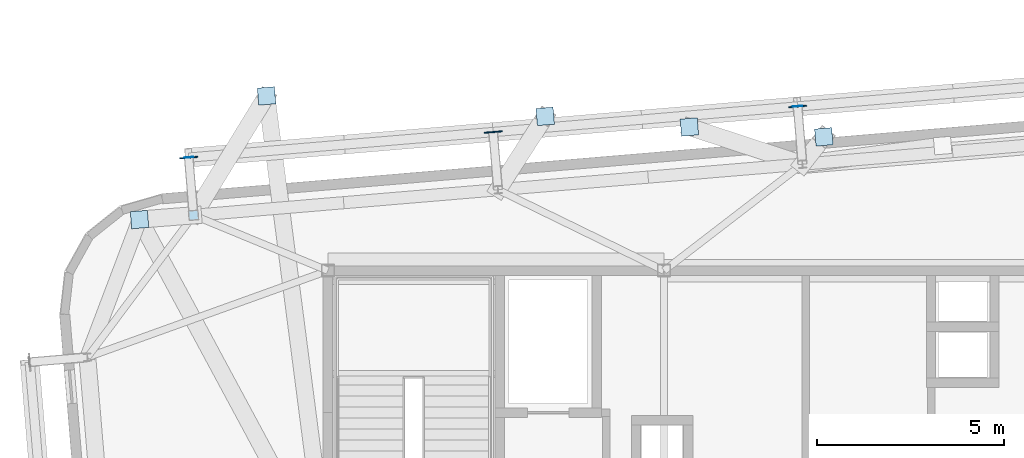
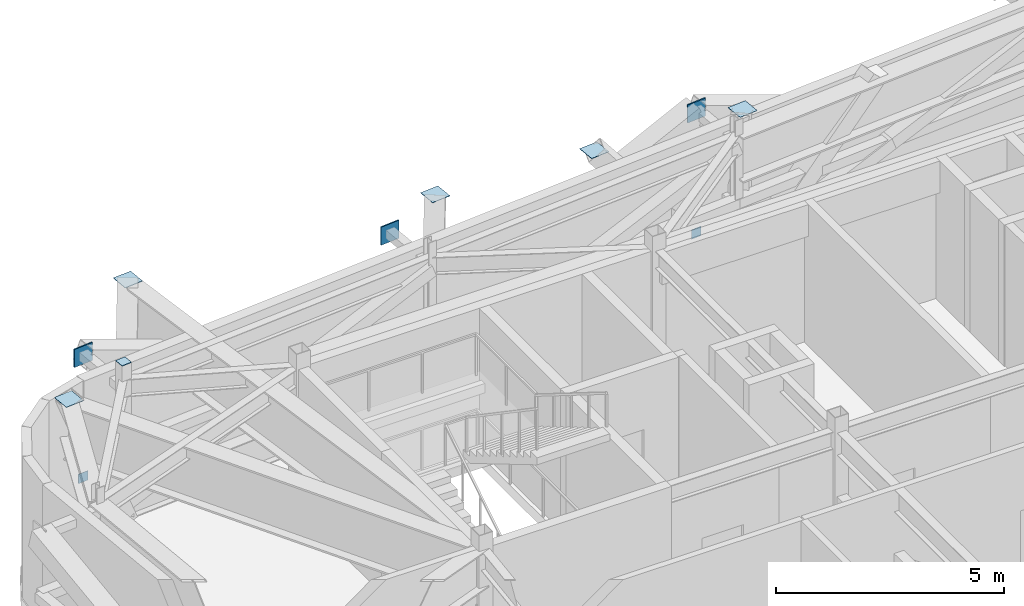
# One storey, part 20 of 26: 11 plates.
"""IFC4 building model written with IfcOpenShell, lengths in metres."""

from ifc_helpers import new_model, si_unit, direction, frame, origin, origin_2d, place, context, subcontext, project, spatial, rectangle, extrude, source, transform, mapped, material, layer, layer_set, type_object, element, save


model = new_model("IFC4")

# Units and contexts
model_context = context("Model", 3, precision=1e-05, world=origin(), true_north=direction((0.0, 1.0)))
body_context = subcontext(model_context, "Body", "Model", "MODEL_VIEW")
ifc_project = project(units=[si_unit("LENGTHUNIT", "METRE"), si_unit("AREAUNIT", "SQUARE_METRE"), si_unit("VOLUMEUNIT", "CUBIC_METRE"), si_unit("PLANEANGLEUNIT", "RADIAN"), si_unit("MASSUNIT", "GRAM", prefix="KILO")], contexts=[model_context])

# Site, building, storey
site_placement = place(None, origin())
site = spatial("IfcSite", under=ifc_project, at=site_placement, CompositionType="ELEMENT")
building_placement = place(site_placement, origin())
building = spatial("IfcBuilding", under=site, at=building_placement, Name="Taldren Reach Tower", CompositionType="ELEMENT")
storey_placement = place(building_placement, frame((0.0, 0.0, 207.199951171875)))
storey = spatial("IfcBuildingStorey", under=building, at=storey_placement, Name="L63", CompositionType="ELEMENT", Elevation=207.199951171875)

# Plates
ifc_material_1 = material(Name="Steel Gr 350 (C350L0)", Category="steel")
ifc_layer_1 = layer(ifc_material_1, 0.011962890625)
ifc_layer_set_1 = layer_set([ifc_layer_1], Name="Steel Gr 350 (C350L0)")
plate_type_1 = type_object("IfcPlateType", Name="PL-CAP-250", PredefinedType="SHEET", material=ifc_layer_set_1)
shared_shape_1 = source(origin(), body_context, "Body", "SweptSolid", [
    extrude(rectangle(XDim=0.25, YDim=0.011962890625, at=origin_2d()), origin(), (0.0, 0.0, 1.0), 0.25),
])
for number, where, z_axis, x_axis, name in (
    (1, (15.273681640625, 35.0341796875, 0.094970703125), (0.0, 0.0, 1.0), (0.99649285925, 0.083677843332, 0.0), "Tie strut end cap plate B4-N1 L63"),
    (2, (31.576171875, 36.403076171875, 0.094970703125), (0.0, 0.0, 1.0), (0.99649285925, 0.083677843332, 0.0), "Tie strut end cap plate B4-N3 L63"),
):
    element("IfcPlate", number, at=place(storey_placement, frame(where, z_axis=z_axis, x_axis=x_axis)), inside=storey, type_object=plate_type_1, Name=name, PredefinedType="SHEET", context=body_context, shape_type="MappedRepresentation", body=[
        mapped(shared_shape_1, transform((0.0, 0.0, 0.0), scale=1.0)),
    ])
ifc_material_2 = material(Name="Steel Gr 450 (C450L0)", Category="steel")
ifc_layer_2 = layer(ifc_material_2, 0.011962890625)
ifc_layer_set_2 = layer_set([ifc_layer_2], Name="Steel Gr 450 (C450L0)")
plate_type_2 = type_object("IfcPlateType", Name="PL-CAP-460", PredefinedType="SHEET", material=ifc_layer_set_2)
shared_shape_2 = source(origin(), body_context, "Body", "SweptSolid", [
    extrude(rectangle(XDim=0.4599609375, YDim=0.4599609375, at=origin_2d()), origin(), (0.0, 0.0, 1.0), 0.011962890625),
])
for number, where, z_axis, x_axis, name in (
    (3, (17.35986328125, 36.678955078125, 3.76806640625), (0.0, 0.0, 1.0), (0.99649285925, 0.083677843332, 0.0), "Transfer strut end cap plate TS-B5-N1 L63"),
    (4, (24.819580078125, 36.131103515625, 3.76806640625), (0.0, 0.0, 1.0), (0.99649285925, 0.083677843332, 0.0), "Transfer strut end cap plate TS-B5-N2 L63"),
    (5, (32.279541015625, 35.583251953125, 3.76806640625), (0.0, 0.0, 1.0), (0.99649285925, 0.083677843332, 0.0), "Transfer strut end cap plate TS-B5-N3 L63"),
    (6, (13.958251953125, 33.369140625, 3.76806640625), (0.0, 0.0, 1.0), (0.99649285925, 0.083677843332, 0.0), "Transfer strut end cap plate TS-B5-W3 L63"),
    (7, (28.67919921875, 35.84765625, 3.76806640625), (0.0, 0.0, 1.0), (0.99649285925, 0.083677843332, 0.0), "Transfer strut end cap plate TS-B5-PJN1 L63"),
):
    element("IfcPlate", number, at=place(storey_placement, frame(where, z_axis=z_axis, x_axis=x_axis)), inside=storey, type_object=plate_type_2, Name=name, PredefinedType="SHEET", context=body_context, shape_type="MappedRepresentation", body=[
        mapped(shared_shape_2, transform((0.0, 0.0, 0.0), scale=1.0)),
    ])
ifc_layer_3 = layer(ifc_material_2, 0.031982421875)
ifc_layer_set_3 = layer_set([ifc_layer_3], Name="Steel Gr 450 (C450L0)")
plate_type_3 = type_object("IfcPlateType", Name="PL-GUSSET-32", PredefinedType="SHEET", material=ifc_layer_set_3)
shared_shape_3 = source(origin(), body_context, "Body", "SweptSolid", [
    extrude(rectangle(XDim=0.47998046875, YDim=0.031982421875, at=origin_2d()), origin(), (0.0, 0.0, 1.0), 0.47998046875),
])
for number, where, z_axis, x_axis, name in (
    (8, (15.274169921875, 35.028076171875, 3.260009765625), (0.0, 0.0, 1.0), (0.99649285925, 0.083677843332, 0.0), "Exoskeleton star-node gusset plate B4-N1 L63"),
    (9, (23.42529296875, 35.712646484375, 3.260009765625), (0.0, 0.0, 1.0), (0.99649285925, 0.083677843332, 0.0), "Exoskeleton star-node gusset plate B4-N2 L63"),
    (10, (31.57666015625, 36.39697265625, 3.260009765625), (0.0, 0.0, 1.0), (0.99649285925, 0.083677843332, 0.0), "Exoskeleton star-node gusset plate B4-N3 L63"),
):
    element("IfcPlate", number, at=place(storey_placement, frame(where, z_axis=z_axis, x_axis=x_axis)), inside=storey, type_object=plate_type_3, Name=name, PredefinedType="SHEET", context=body_context, shape_type="MappedRepresentation", body=[
        mapped(shared_shape_3, transform((0.0, 0.0, 0.0), scale=1.0)),
    ])
shared_shape_4 = source(origin(), body_context, "Body", "SweptSolid", [
    extrude(rectangle(XDim=0.25, YDim=0.25, at=origin_2d()), origin(), (0.0, 0.0, 1.0), 0.011962890625),
])
plate_placement = place(storey_placement, frame((15.40380859375, 33.483642578125, 4.2001953125), z_axis=(0.0, 0.0, 1.0), x_axis=(0.99649285925, 0.083677843332, 0.0)))
element("IfcPlate", 11, at=plate_placement, inside=storey, type_object=plate_type_1, Name="Perimeter column end cap plate B4-N1 L63", PredefinedType="SHEET", context=body_context, shape_type="MappedRepresentation", body=[
    mapped(shared_shape_4, transform((0.0, 0.0, 0.0), scale=1.0)),
])

save(model, "model.ifc")
